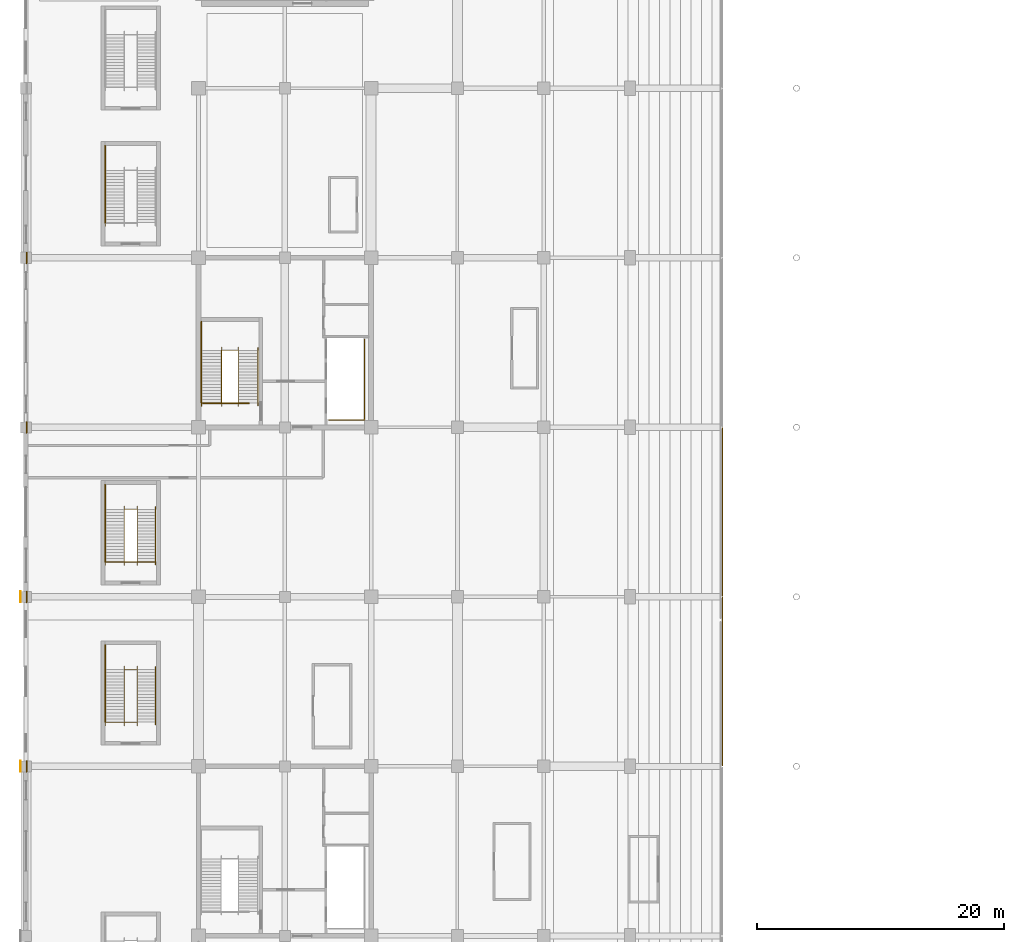
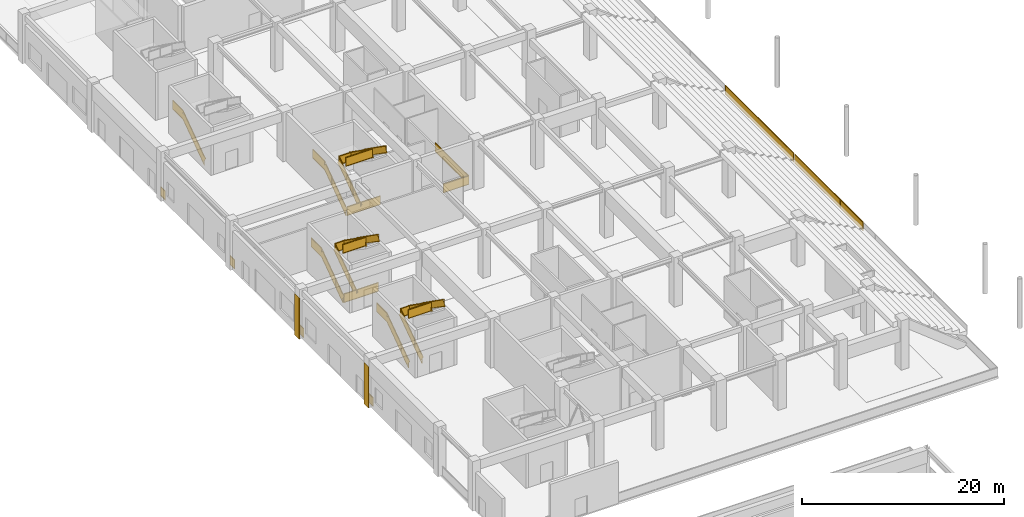
# One storey, part 61 of 73: 19 railings, 2 coverings.
"""IFC4 building model written with IfcOpenShell, lengths in metres."""

from ifc_helpers import new_model, si_unit, direction, frame, origin, origin_2d, place, context, subcontext, project, spatial, rectangle, extrude, material, layer, layer_set, type_object, element, save


model = new_model("IFC4")

# Units and contexts
model_context = context("Model", 3, precision=1e-05, world=origin(), true_north=direction((0.0, 1.0)))
body_context = subcontext(model_context, "Body", "Model", "MODEL_VIEW")
ifc_project = project(units=[si_unit("LENGTHUNIT", "METRE"), si_unit("AREAUNIT", "SQUARE_METRE"), si_unit("VOLUMEUNIT", "CUBIC_METRE"), si_unit("PLANEANGLEUNIT", "RADIAN"), si_unit("MASSUNIT", "GRAM", prefix="KILO")], contexts=[model_context])

# Site, building, storey
site_placement = place(None, origin())
site = spatial("IfcSite", under=ifc_project, at=site_placement, CompositionType="ELEMENT")
building_placement = place(site_placement, origin())
building = spatial("IfcBuilding", under=site, at=building_placement, Name="Linyun Crest Stadium", CompositionType="ELEMENT")
storey_placement = place(building_placement, origin())
storey = spatial("IfcBuildingStorey", under=building, at=storey_placement, Name="L01", CompositionType="ELEMENT", Elevation=0.0)

# Coverings
ifc_material_1 = material(Name="Precast concrete C40 fluted pier cladding", Category="concrete")
ifc_layer = layer(ifc_material_1, 0.0400390625)
ifc_layer_set = layer_set([ifc_layer], Name="Precast concrete C40 fluted pier cladding")
covering_type = type_object("IfcCoveringType", Name="CLD01", PredefinedType="CLADDING", material=ifc_layer_set)
for number, where, z_axis, x_axis, name in (
    (1, (-98.449951171875, -25.375, 0.0), (0.0, 0.0, 1.0), (1.0, 0.0, 0.0), "Red sandstone pier cladding CLD01 2"),
    (2, (-98.449951171875, -11.625, 0.0), (0.0, 0.0, 1.0), (1.0, 0.0, 0.0), "Red sandstone pier cladding CLD01 3"),
):
    element("IfcCovering", number, at=place(storey_placement, frame(where, z_axis=z_axis, x_axis=x_axis)), inside=storey, type_object=covering_type, Name=name, PredefinedType="CLADDING", context=body_context, shape_type="SweptSolid", body=[
        extrude(rectangle(XDim=0.06005859375, YDim=0.89990234375, at=origin_2d()), origin(), (0.0, 0.0, 1.0), 5.0),
    ])

# Railings
ifc_material_2 = material(Name="Galvanized and powder-coated steel bowl safety barrier", Category="steel")
railing_type_1 = type_object("IfcRailingType", Name="GR02", PredefinedType="GUARDRAIL", material=ifc_material_2)
for number, where, name in (
    (3, (-41.5, -25.294921875, 1.199951171875), "Bowl front safety guard GR02 17"),
    (4, (-41.5, -11.544921875, 1.199951171875), "Bowl front safety guard GR02 25"),
):
    element("IfcRailing", number, at=place(storey_placement, frame(where)), inside=storey, type_object=railing_type_1, Name=name, PredefinedType="GUARDRAIL", context=body_context, shape_type="SweptSolid", body=[
        extrude(rectangle(XDim=0.06005859375, YDim=0.06005859375, at=origin_2d()), frame((0.0, 0.0, 1.090087890625), z_axis=(0.0, 1.0, 0.0), x_axis=(-1.0, 0.0, 0.0)), (0.0, 0.0, 1.0), 13.58984375),
        extrude(rectangle(XDim=0.030029296875, YDim=1.0, at=origin_2d()), frame((0.0, 0.0, 0.56005859375), z_axis=(0.0, 1.0, 0.0), x_axis=(-1.0, 0.0, 0.0)), (0.0, 0.0, 1.0), 13.58984375),
        extrude(rectangle(XDim=0.06005859375, YDim=0.06005859375, at=origin_2d()), frame((0.0, 0.0, 0.030029296875), z_axis=(0.0, 1.0, 0.0), x_axis=(-1.0, 0.0, 0.0)), (0.0, 0.0, 1.0), 13.58984375),
        extrude(rectangle(XDim=0.050048828125, YDim=0.050048828125, at=origin_2d()), origin(), (0.0, 0.0, 1.0), 1.1201171875),
        extrude(rectangle(XDim=0.050048828125, YDim=0.050048828125, at=origin_2d()), frame((0.0, 2.264892578125, 0.0)), (0.0, 0.0, 1.0), 1.1201171875),
        extrude(rectangle(XDim=0.050048828125, YDim=0.050048828125, at=origin_2d()), frame((0.0, 4.530029296875, 0.0)), (0.0, 0.0, 1.0), 1.1201171875),
        extrude(rectangle(XDim=0.050048828125, YDim=0.050048828125, at=origin_2d()), frame((0.0, 6.794921875, 0.0)), (0.0, 0.0, 1.0), 1.1201171875),
        extrude(rectangle(XDim=0.050048828125, YDim=0.050048828125, at=origin_2d()), frame((0.0, 9.059814453125, 0.0)), (0.0, 0.0, 1.0), 1.1201171875),
        extrude(rectangle(XDim=0.050048828125, YDim=0.050048828125, at=origin_2d()), frame((0.0, 11.324951171875, 0.0)), (0.0, 0.0, 1.0), 1.1201171875),
        extrude(rectangle(XDim=0.050048828125, YDim=0.050048828125, at=origin_2d()), frame((0.0, 13.58984375, 0.0)), (0.0, 0.0, 1.0), 1.1201171875),
    ])
for number, where, name in (
    (5, (-97.93994140625, -25.81494140625, 0.0), "Slab edge balustrade GR02 3"),
    (6, (-97.93994140625, -12.06494140625, 0.0), "Slab edge balustrade GR02 9"),
    (7, (-97.93994140625, 1.68505859375, 0.0), "Slab edge balustrade GR02 10"),
    (8, (-97.93994140625, 15.43505859375, 0.0), "Slab edge balustrade GR02 11"),
):
    element("IfcRailing", number, at=place(storey_placement, frame(where)), inside=storey, type_object=railing_type_1, Name=name, PredefinedType="GUARDRAIL", context=body_context, shape_type="SweptSolid", body=[
        extrude(rectangle(XDim=0.06005859375, YDim=0.06005859375, at=origin_2d()), frame((0.0, 0.0, 1.090087890625), z_axis=(0.0, 1.0, 0.0), x_axis=(-1.0, 0.0, 0.0)), (0.0, 0.0, 1.0), 0.8798828125),
        extrude(rectangle(XDim=0.030029296875, YDim=1.0, at=origin_2d()), frame((0.0, 0.0, 0.56005859375), z_axis=(0.0, 1.0, 0.0), x_axis=(-1.0, 0.0, 0.0)), (0.0, 0.0, 1.0), 0.8798828125),
        extrude(rectangle(XDim=0.06005859375, YDim=0.06005859375, at=origin_2d()), frame((0.0, 0.0, 0.030029296875), z_axis=(0.0, 1.0, 0.0), x_axis=(-1.0, 0.0, 0.0)), (0.0, 0.0, 1.0), 0.8798828125),
        extrude(rectangle(XDim=0.050048828125, YDim=0.050048828125, at=origin_2d()), origin(), (0.0, 0.0, 1.0), 1.1201171875),
        extrude(rectangle(XDim=0.050048828125, YDim=0.050048828125, at=origin_2d()), frame((0.0, 0.8798828125, 0.0)), (0.0, 0.0, 1.0), 1.1201171875),
    ])
railing_1_placement = place(storey_placement, frame((-73.419921875, 2.715087890625, 0.0)))
element("IfcRailing", 9, at=railing_1_placement, inside=storey, type_object=railing_type_1, Name="Slab edge balustrade GR02 14", PredefinedType="GUARDRAIL", context=body_context, shape_type="SweptSolid", body=[
    extrude(rectangle(XDim=0.06005859375, YDim=0.06005859375, at=origin_2d()), frame((0.0, 0.0, 1.090087890625), z_axis=(1.0, 0.0, 0.0), x_axis=(0.0, 1.0, 0.0)), (0.0, 0.0, 1.0), 2.8798828125),
    extrude(rectangle(XDim=0.030029296875, YDim=1.0, at=origin_2d()), frame((0.0, 0.0, 0.56005859375), z_axis=(1.0, 0.0, 0.0), x_axis=(0.0, 1.0, 0.0)), (0.0, 0.0, 1.0), 2.8798828125),
    extrude(rectangle(XDim=0.06005859375, YDim=0.06005859375, at=origin_2d()), frame((0.0, 0.0, 0.030029296875), z_axis=(1.0, 0.0, 0.0), x_axis=(0.0, 1.0, 0.0)), (0.0, 0.0, 1.0), 2.8798828125),
    extrude(rectangle(XDim=0.06005859375, YDim=0.06005859375, at=origin_2d()), frame((2.8798828125, 0.0, 1.090087890625), z_axis=(0.0, 1.0, 0.0), x_axis=(-1.0, 0.0, 0.0)), (0.0, 0.0, 1.0), 6.5498046875),
    extrude(rectangle(XDim=0.030029296875, YDim=1.0, at=origin_2d()), frame((2.8798828125, 0.0, 0.56005859375), z_axis=(0.0, 1.0, 0.0), x_axis=(-1.0, 0.0, 0.0)), (0.0, 0.0, 1.0), 6.5498046875),
    extrude(rectangle(XDim=0.06005859375, YDim=0.06005859375, at=origin_2d()), frame((2.8798828125, 0.0, 0.030029296875), z_axis=(0.0, 1.0, 0.0), x_axis=(-1.0, 0.0, 0.0)), (0.0, 0.0, 1.0), 6.5498046875),
    extrude(rectangle(XDim=0.050048828125, YDim=0.050048828125, at=origin_2d()), origin(), (0.0, 0.0, 1.0), 1.1201171875),
    extrude(rectangle(XDim=0.050048828125, YDim=0.050048828125, at=origin_2d()), frame((2.8798828125, 0.0, 0.0)), (0.0, 0.0, 1.0), 1.1201171875),
    extrude(rectangle(XDim=0.050048828125, YDim=0.050048828125, at=origin_2d()), frame((2.8798828125, 3.27490234375, 0.0)), (0.0, 0.0, 1.0), 1.1201171875),
    extrude(rectangle(XDim=0.050048828125, YDim=0.050048828125, at=origin_2d()), frame((2.8798828125, 6.5498046875, 0.0)), (0.0, 0.0, 1.0), 1.1201171875),
])
railing_2_placement = place(storey_placement, frame((-83.659912109375, 4.0849609375, 0.0)))
element("IfcRailing", 10, at=railing_2_placement, inside=storey, type_object=railing_type_1, Name="Slab edge balustrade GR02 16", PredefinedType="GUARDRAIL", context=body_context, shape_type="SweptSolid", body=[
    extrude(rectangle(XDim=0.06005859375, YDim=0.06005859375, at=origin_2d()), frame((0.0, 0.0, 1.090087890625), z_axis=(1.0, 0.0, 0.0), x_axis=(0.0, 1.0, 0.0)), (0.0, 0.0, 1.0), 3.760009765625),
    extrude(rectangle(XDim=0.030029296875, YDim=1.0, at=origin_2d()), frame((0.0, 0.0, 0.56005859375), z_axis=(1.0, 0.0, 0.0), x_axis=(0.0, 1.0, 0.0)), (0.0, 0.0, 1.0), 3.760009765625),
    extrude(rectangle(XDim=0.06005859375, YDim=0.06005859375, at=origin_2d()), frame((0.0, 0.0, 0.030029296875), z_axis=(1.0, 0.0, 0.0), x_axis=(0.0, 1.0, 0.0)), (0.0, 0.0, 1.0), 3.760009765625),
    extrude(rectangle(XDim=0.050048828125, YDim=0.050048828125, at=origin_2d()), origin(), (0.0, 0.0, 1.0), 1.1201171875),
    extrude(rectangle(XDim=0.050048828125, YDim=0.050048828125, at=origin_2d()), frame((3.760009765625, 0.0, 0.0)), (0.0, 0.0, 1.0), 1.1201171875),
])
railing_3_placement = place(storey_placement, frame((-91.4599609375, -8.81005859375, 0.0)))
element("IfcRailing", 11, at=railing_3_placement, inside=storey, type_object=railing_type_1, Name="Slab edge balustrade GR02 18", PredefinedType="GUARDRAIL", context=body_context, shape_type="SweptSolid", body=[
    extrude(rectangle(XDim=0.06005859375, YDim=0.06005859375, at=origin_2d()), frame((0.0, 0.0, 1.090087890625), z_axis=(1.0, 0.0, 0.0), x_axis=(0.0, 1.0, 0.0)), (0.0, 0.0, 1.0), 3.919921875),
    extrude(rectangle(XDim=0.030029296875, YDim=1.0, at=origin_2d()), frame((0.0, 0.0, 0.56005859375), z_axis=(1.0, 0.0, 0.0), x_axis=(0.0, 1.0, 0.0)), (0.0, 0.0, 1.0), 3.919921875),
    extrude(rectangle(XDim=0.06005859375, YDim=0.06005859375, at=origin_2d()), frame((0.0, 0.0, 0.030029296875), z_axis=(1.0, 0.0, 0.0), x_axis=(0.0, 1.0, 0.0)), (0.0, 0.0, 1.0), 3.919921875),
    extrude(rectangle(XDim=0.050048828125, YDim=0.050048828125, at=origin_2d()), origin(), (0.0, 0.0, 1.0), 1.1201171875),
    extrude(rectangle(XDim=0.050048828125, YDim=0.050048828125, at=origin_2d()), frame((3.919921875, 0.0, 0.0)), (0.0, 0.0, 1.0), 1.1201171875),
])
ifc_material_3 = material(Name="Painted steel stairwell safety guard", Category="steel")
railing_type_2 = type_object("IfcRailingType", Name="GR03", PredefinedType="GUARDRAIL", material=ifc_material_3)
railing_4_placement = place(storey_placement, frame((-83.77001953125, 4.114990234375, 0.0)))
element("IfcRailing", 12, at=railing_4_placement, inside=storey, type_object=railing_type_2, Name="STR-02-L01 outer guard", PredefinedType="GUARDRAIL", context=body_context, shape_type="SweptSolid", body=[
    extrude(rectangle(XDim=0.06005859375, YDim=0.06005859375, at=origin_2d()), frame((0.0, 0.0, 1.090087890625), z_axis=(0.0, 0.816967863265, 0.576683197599), x_axis=(-1.0, 0.0, 0.0)), (0.0, 0.0, 1.0), 5.2021484375),
    extrude(rectangle(XDim=0.030029296875, YDim=1.0, at=origin_2d()), frame((0.0, 0.0, 0.56005859375), z_axis=(0.0, 0.816967863265, 0.576683197599), x_axis=(-1.0, 0.0, 0.0)), (0.0, 0.0, 1.0), 5.2021484375),
    extrude(rectangle(XDim=0.06005859375, YDim=0.06005859375, at=origin_2d()), frame((0.0, 0.0, 0.030029296875), z_axis=(0.0, 0.816967863265, 0.576683197599), x_axis=(-1.0, 0.0, 0.0)), (0.0, 0.0, 1.0), 5.2021484375),
    extrude(rectangle(XDim=0.06005859375, YDim=0.06005859375, at=origin_2d()), frame((0.0, 4.25, 4.090087890625), z_axis=(0.0, 1.0, 0.0), x_axis=(-1.0, 0.0, 0.0)), (0.0, 0.0, 1.0), 2.330078125),
    extrude(rectangle(XDim=0.030029296875, YDim=1.0, at=origin_2d()), frame((0.0, 4.25, 3.56005859375), z_axis=(0.0, 1.0, 0.0), x_axis=(-1.0, 0.0, 0.0)), (0.0, 0.0, 1.0), 2.330078125),
    extrude(rectangle(XDim=0.06005859375, YDim=0.06005859375, at=origin_2d()), frame((0.0, 4.25, 3.030029296875), z_axis=(0.0, 1.0, 0.0), x_axis=(-1.0, 0.0, 0.0)), (0.0, 0.0, 1.0), 2.330078125),
    extrude(rectangle(XDim=0.050048828125, YDim=0.050048828125, at=origin_2d()), origin(), (0.0, 0.0, 1.0), 1.1201171875),
    extrude(rectangle(XDim=0.050048828125, YDim=0.050048828125, at=origin_2d()), frame((0.0, 1.416748046875, 1.0)), (0.0, 0.0, 1.0), 1.1201171875),
    extrude(rectangle(XDim=0.050048828125, YDim=0.050048828125, at=origin_2d()), frame((0.0, 2.833251953125, 2.0)), (0.0, 0.0, 1.0), 1.1201171875),
    extrude(rectangle(XDim=0.050048828125, YDim=0.050048828125, at=origin_2d()), frame((0.0, 4.25, 3.0)), (0.0, 0.0, 1.0), 1.1201171875),
    extrude(rectangle(XDim=0.050048828125, YDim=0.050048828125, at=origin_2d()), frame((0.0, 5.4150390625, 3.0)), (0.0, 0.0, 1.0), 1.1201171875),
    extrude(rectangle(XDim=0.050048828125, YDim=0.050048828125, at=origin_2d()), frame((0.0, 6.580078125, 3.0)), (0.0, 0.0, 1.0), 1.1201171875),
])
railing_5_placement = place(storey_placement, frame((-82.1298828125, 4.094970703125, 0.0)))
element("IfcRailing", 13, at=railing_5_placement, inside=storey, type_object=railing_type_2, Name="STR-02-L01 inner well guard", PredefinedType="GUARDRAIL", context=body_context, shape_type="SweptSolid", body=[
    extrude(rectangle(XDim=0.06005859375, YDim=0.06005859375, at=origin_2d()), frame((0.0, 0.0, 1.090087890625), z_axis=(0.0, 0.818241657069, 0.574874412926), x_axis=(-1.0, 0.0, 0.0)), (0.0, 0.0, 1.0), 5.218505859375),
    extrude(rectangle(XDim=0.030029296875, YDim=1.0, at=origin_2d()), frame((0.0, 0.0, 0.56005859375), z_axis=(0.0, 0.818241657069, 0.574874412926), x_axis=(-1.0, 0.0, 0.0)), (0.0, 0.0, 1.0), 5.218505859375),
    extrude(rectangle(XDim=0.06005859375, YDim=0.06005859375, at=origin_2d()), frame((0.0, 0.0, 0.030029296875), z_axis=(0.0, 0.818241657069, 0.574874412926), x_axis=(-1.0, 0.0, 0.0)), (0.0, 0.0, 1.0), 5.218505859375),
    extrude(rectangle(XDim=0.06005859375, YDim=0.06005859375, at=origin_2d()), frame((0.0, 4.27001953125, 4.090087890625), z_axis=(1.0, 0.0, 0.0), x_axis=(0.0, 1.0, 0.0)), (0.0, 0.0, 1.0), 1.35986328125),
    extrude(rectangle(XDim=0.030029296875, YDim=1.0, at=origin_2d()), frame((0.0, 4.27001953125, 3.56005859375), z_axis=(1.0, 0.0, 0.0), x_axis=(0.0, 1.0, 0.0)), (0.0, 0.0, 1.0), 1.35986328125),
    extrude(rectangle(XDim=0.06005859375, YDim=0.06005859375, at=origin_2d()), frame((0.0, 4.27001953125, 3.030029296875), z_axis=(1.0, 0.0, 0.0), x_axis=(0.0, 1.0, 0.0)), (0.0, 0.0, 1.0), 1.35986328125),
    extrude(rectangle(XDim=0.06005859375, YDim=0.06005859375, at=origin_2d()), frame((1.35986328125, 4.27001953125, 4.090087890625), z_axis=(0.0, -0.818241657069, 0.574874412926), x_axis=(1.0, 0.0, 0.0)), (0.0, 0.0, 1.0), 5.218505859375),
    extrude(rectangle(XDim=0.030029296875, YDim=1.0, at=origin_2d()), frame((1.35986328125, 4.27001953125, 3.56005859375), z_axis=(0.0, -0.818241657069, 0.574874412926), x_axis=(1.0, 0.0, 0.0)), (0.0, 0.0, 1.0), 5.218505859375),
    extrude(rectangle(XDim=0.06005859375, YDim=0.06005859375, at=origin_2d()), frame((1.35986328125, 4.27001953125, 3.030029296875), z_axis=(0.0, -0.818241657069, 0.574874412926), x_axis=(1.0, 0.0, 0.0)), (0.0, 0.0, 1.0), 5.218505859375),
    extrude(rectangle(XDim=0.06005859375, YDim=0.06005859375, at=origin_2d()), frame((1.35986328125, 0.0, 7.090087890625), z_axis=(-1.0, 0.0, 0.0), x_axis=(0.0, -1.0, 0.0)), (0.0, 0.0, 1.0), 3.010009765625),
    extrude(rectangle(XDim=0.030029296875, YDim=1.0, at=origin_2d()), frame((1.35986328125, 0.0, 6.56005859375), z_axis=(-1.0, 0.0, 0.0), x_axis=(0.0, -1.0, 0.0)), (0.0, 0.0, 1.0), 3.010009765625),
    extrude(rectangle(XDim=0.06005859375, YDim=0.06005859375, at=origin_2d()), frame((1.35986328125, 0.0, 6.030029296875), z_axis=(-1.0, 0.0, 0.0), x_axis=(0.0, -1.0, 0.0)), (0.0, 0.0, 1.0), 3.010009765625),
    extrude(rectangle(XDim=0.050048828125, YDim=0.050048828125, at=origin_2d()), origin(), (0.0, 0.0, 1.0), 1.1201171875),
    extrude(rectangle(XDim=0.050048828125, YDim=0.050048828125, at=origin_2d()), frame((0.0, 1.42333984375, 1.0)), (0.0, 0.0, 1.0), 1.1201171875),
    extrude(rectangle(XDim=0.050048828125, YDim=0.050048828125, at=origin_2d()), frame((0.0, 2.8466796875, 2.0)), (0.0, 0.0, 1.0), 1.1201171875),
    extrude(rectangle(XDim=0.050048828125, YDim=0.050048828125, at=origin_2d()), frame((0.0, 4.27001953125, 3.0)), (0.0, 0.0, 1.0), 1.1201171875),
    extrude(rectangle(XDim=0.050048828125, YDim=0.050048828125, at=origin_2d()), frame((1.35986328125, 4.27001953125, 3.0)), (0.0, 0.0, 1.0), 1.1201171875),
    extrude(rectangle(XDim=0.050048828125, YDim=0.050048828125, at=origin_2d()), frame((1.35986328125, 2.8466796875, 4.0)), (0.0, 0.0, 1.0), 1.1201171875),
    extrude(rectangle(XDim=0.050048828125, YDim=0.050048828125, at=origin_2d()), frame((1.35986328125, 1.42333984375, 5.0)), (0.0, 0.0, 1.0), 1.1201171875),
    extrude(rectangle(XDim=0.050048828125, YDim=0.050048828125, at=origin_2d()), frame((1.35986328125, 0.0, 6.0)), (0.0, 0.0, 1.0), 1.1201171875),
    extrude(rectangle(XDim=0.050048828125, YDim=0.050048828125, at=origin_2d()), frame((-0.14501953125, 0.0, 6.0)), (0.0, 0.0, 1.0), 1.1201171875),
    extrude(rectangle(XDim=0.050048828125, YDim=0.050048828125, at=origin_2d()), frame((-1.650146484375, 0.0, 6.0)), (0.0, 0.0, 1.0), 1.1201171875),
])
railing_6_placement = place(storey_placement, frame((-91.570068359375, -21.780029296875, 0.0)))
element("IfcRailing", 14, at=railing_6_placement, inside=storey, type_object=railing_type_2, Name="STR-14-L01 outer guard", PredefinedType="GUARDRAIL", context=body_context, shape_type="SweptSolid", body=[
    extrude(rectangle(XDim=0.06005859375, YDim=0.06005859375, at=origin_2d()), frame((0.0, 0.0, 1.090087890625), z_axis=(0.0, 0.816967863265, 0.576683197599), x_axis=(-1.0, 0.0, 0.0)), (0.0, 0.0, 1.0), 5.2021484375),
    extrude(rectangle(XDim=0.030029296875, YDim=1.0, at=origin_2d()), frame((0.0, 0.0, 0.56005859375), z_axis=(0.0, 0.816967863265, 0.576683197599), x_axis=(-1.0, 0.0, 0.0)), (0.0, 0.0, 1.0), 5.2021484375),
    extrude(rectangle(XDim=0.06005859375, YDim=0.06005859375, at=origin_2d()), frame((0.0, 0.0, 0.030029296875), z_axis=(0.0, 0.816967863265, 0.576683197599), x_axis=(-1.0, 0.0, 0.0)), (0.0, 0.0, 1.0), 5.2021484375),
    extrude(rectangle(XDim=0.06005859375, YDim=0.06005859375, at=origin_2d()), frame((0.0, 4.25, 4.090087890625), z_axis=(0.0, 1.0, 0.0), x_axis=(-1.0, 0.0, 0.0)), (0.0, 0.0, 1.0), 2.0),
    extrude(rectangle(XDim=0.030029296875, YDim=1.0, at=origin_2d()), frame((0.0, 4.25, 3.56005859375), z_axis=(0.0, 1.0, 0.0), x_axis=(-1.0, 0.0, 0.0)), (0.0, 0.0, 1.0), 2.0),
    extrude(rectangle(XDim=0.06005859375, YDim=0.06005859375, at=origin_2d()), frame((0.0, 4.25, 3.030029296875), z_axis=(0.0, 1.0, 0.0), x_axis=(-1.0, 0.0, 0.0)), (0.0, 0.0, 1.0), 2.0),
    extrude(rectangle(XDim=0.050048828125, YDim=0.050048828125, at=origin_2d()), origin(), (0.0, 0.0, 1.0), 1.1201171875),
    extrude(rectangle(XDim=0.050048828125, YDim=0.050048828125, at=origin_2d()), frame((0.0, 1.416748046875, 1.0)), (0.0, 0.0, 1.0), 1.1201171875),
    extrude(rectangle(XDim=0.050048828125, YDim=0.050048828125, at=origin_2d()), frame((0.0, 2.833251953125, 2.0)), (0.0, 0.0, 1.0), 1.1201171875),
    extrude(rectangle(XDim=0.050048828125, YDim=0.050048828125, at=origin_2d()), frame((0.0, 4.25, 3.0)), (0.0, 0.0, 1.0), 1.1201171875),
    extrude(rectangle(XDim=0.050048828125, YDim=0.050048828125, at=origin_2d()), frame((0.0, 6.25, 3.0)), (0.0, 0.0, 1.0), 1.1201171875),
])
railing_7_placement = place(storey_placement, frame((-90.030029296875, -21.800048828125, 0.0)))
element("IfcRailing", 15, at=railing_7_placement, inside=storey, type_object=railing_type_2, Name="STR-14-L01 inner well guard", PredefinedType="GUARDRAIL", context=body_context, shape_type="SweptSolid", body=[
    extrude(rectangle(XDim=0.06005859375, YDim=0.06005859375, at=origin_2d()), frame((0.0, 0.0, 1.090087890625), z_axis=(0.0, 0.818241657069, 0.574874412926), x_axis=(-1.0, 0.0, 0.0)), (0.0, 0.0, 1.0), 5.218505859375),
    extrude(rectangle(XDim=0.030029296875, YDim=1.0, at=origin_2d()), frame((0.0, 0.0, 0.56005859375), z_axis=(0.0, 0.818241657069, 0.574874412926), x_axis=(-1.0, 0.0, 0.0)), (0.0, 0.0, 1.0), 5.218505859375),
    extrude(rectangle(XDim=0.06005859375, YDim=0.06005859375, at=origin_2d()), frame((0.0, 0.0, 0.030029296875), z_axis=(0.0, 0.818241657069, 0.574874412926), x_axis=(-1.0, 0.0, 0.0)), (0.0, 0.0, 1.0), 5.218505859375),
    extrude(rectangle(XDim=0.06005859375, YDim=0.06005859375, at=origin_2d()), frame((0.0, 4.27001953125, 4.090087890625), z_axis=(1.0, 0.0, 0.0), x_axis=(0.0, 1.0, 0.0)), (0.0, 0.0, 1.0), 1.06005859375),
    extrude(rectangle(XDim=0.030029296875, YDim=1.0, at=origin_2d()), frame((0.0, 4.27001953125, 3.56005859375), z_axis=(1.0, 0.0, 0.0), x_axis=(0.0, 1.0, 0.0)), (0.0, 0.0, 1.0), 1.06005859375),
    extrude(rectangle(XDim=0.06005859375, YDim=0.06005859375, at=origin_2d()), frame((0.0, 4.27001953125, 3.030029296875), z_axis=(1.0, 0.0, 0.0), x_axis=(0.0, 1.0, 0.0)), (0.0, 0.0, 1.0), 1.06005859375),
    extrude(rectangle(XDim=0.06005859375, YDim=0.06005859375, at=origin_2d()), frame((1.06005859375, 4.27001953125, 4.090087890625), z_axis=(0.0, -0.818241657069, 0.574874412926), x_axis=(1.0, 0.0, 0.0)), (0.0, 0.0, 1.0), 5.218505859375),
    extrude(rectangle(XDim=0.030029296875, YDim=1.0, at=origin_2d()), frame((1.06005859375, 4.27001953125, 3.56005859375), z_axis=(0.0, -0.818241657069, 0.574874412926), x_axis=(1.0, 0.0, 0.0)), (0.0, 0.0, 1.0), 5.218505859375),
    extrude(rectangle(XDim=0.06005859375, YDim=0.06005859375, at=origin_2d()), frame((1.06005859375, 4.27001953125, 3.030029296875), z_axis=(0.0, -0.818241657069, 0.574874412926), x_axis=(1.0, 0.0, 0.0)), (0.0, 0.0, 1.0), 5.218505859375),
    extrude(rectangle(XDim=0.06005859375, YDim=0.06005859375, at=origin_2d()), frame((1.06005859375, 0.0, 7.090087890625), z_axis=(-1.0, 0.0, 0.0), x_axis=(0.0, -1.0, 0.0)), (0.0, 0.0, 1.0), 2.610107421875),
    extrude(rectangle(XDim=0.030029296875, YDim=1.0, at=origin_2d()), frame((1.06005859375, 0.0, 6.56005859375), z_axis=(-1.0, 0.0, 0.0), x_axis=(0.0, -1.0, 0.0)), (0.0, 0.0, 1.0), 2.610107421875),
    extrude(rectangle(XDim=0.06005859375, YDim=0.06005859375, at=origin_2d()), frame((1.06005859375, 0.0, 6.030029296875), z_axis=(-1.0, 0.0, 0.0), x_axis=(0.0, -1.0, 0.0)), (0.0, 0.0, 1.0), 2.610107421875),
    extrude(rectangle(XDim=0.050048828125, YDim=0.050048828125, at=origin_2d()), origin(), (0.0, 0.0, 1.0), 1.1201171875),
    extrude(rectangle(XDim=0.050048828125, YDim=0.050048828125, at=origin_2d()), frame((0.0, 1.42333984375, 1.0)), (0.0, 0.0, 1.0), 1.1201171875),
    extrude(rectangle(XDim=0.050048828125, YDim=0.050048828125, at=origin_2d()), frame((0.0, 2.8466796875, 2.0)), (0.0, 0.0, 1.0), 1.1201171875),
    extrude(rectangle(XDim=0.050048828125, YDim=0.050048828125, at=origin_2d()), frame((0.0, 4.27001953125, 3.0)), (0.0, 0.0, 1.0), 1.1201171875),
    extrude(rectangle(XDim=0.050048828125, YDim=0.050048828125, at=origin_2d()), frame((1.06005859375, 4.27001953125, 3.0)), (0.0, 0.0, 1.0), 1.1201171875),
    extrude(rectangle(XDim=0.050048828125, YDim=0.050048828125, at=origin_2d()), frame((1.06005859375, 2.8466796875, 4.0)), (0.0, 0.0, 1.0), 1.1201171875),
    extrude(rectangle(XDim=0.050048828125, YDim=0.050048828125, at=origin_2d()), frame((1.06005859375, 1.42333984375, 5.0)), (0.0, 0.0, 1.0), 1.1201171875),
    extrude(rectangle(XDim=0.050048828125, YDim=0.050048828125, at=origin_2d()), frame((1.06005859375, 0.0, 6.0)), (0.0, 0.0, 1.0), 1.1201171875),
    extrude(rectangle(XDim=0.050048828125, YDim=0.050048828125, at=origin_2d()), frame((-0.2451171875, 0.0, 6.0)), (0.0, 0.0, 1.0), 1.1201171875),
    extrude(rectangle(XDim=0.050048828125, YDim=0.050048828125, at=origin_2d()), frame((-1.550048828125, 0.0, 6.0)), (0.0, 0.0, 1.0), 1.1201171875),
])
railing_8_placement = place(storey_placement, frame((-91.570068359375, -8.780029296875, 0.0)))
element("IfcRailing", 16, at=railing_8_placement, inside=storey, type_object=railing_type_2, Name="STR-15-L01 outer guard", PredefinedType="GUARDRAIL", context=body_context, shape_type="SweptSolid", body=[
    extrude(rectangle(XDim=0.06005859375, YDim=0.06005859375, at=origin_2d()), frame((0.0, 0.0, 1.090087890625), z_axis=(0.0, 0.816967863265, 0.576683197599), x_axis=(-1.0, 0.0, 0.0)), (0.0, 0.0, 1.0), 5.2021484375),
    extrude(rectangle(XDim=0.030029296875, YDim=1.0, at=origin_2d()), frame((0.0, 0.0, 0.56005859375), z_axis=(0.0, 0.816967863265, 0.576683197599), x_axis=(-1.0, 0.0, 0.0)), (0.0, 0.0, 1.0), 5.2021484375),
    extrude(rectangle(XDim=0.06005859375, YDim=0.06005859375, at=origin_2d()), frame((0.0, 0.0, 0.030029296875), z_axis=(0.0, 0.816967863265, 0.576683197599), x_axis=(-1.0, 0.0, 0.0)), (0.0, 0.0, 1.0), 5.2021484375),
    extrude(rectangle(XDim=0.06005859375, YDim=0.06005859375, at=origin_2d()), frame((0.0, 4.25, 4.090087890625), z_axis=(0.0, 1.0, 0.0), x_axis=(-1.0, 0.0, 0.0)), (0.0, 0.0, 1.0), 2.0),
    extrude(rectangle(XDim=0.030029296875, YDim=1.0, at=origin_2d()), frame((0.0, 4.25, 3.56005859375), z_axis=(0.0, 1.0, 0.0), x_axis=(-1.0, 0.0, 0.0)), (0.0, 0.0, 1.0), 2.0),
    extrude(rectangle(XDim=0.06005859375, YDim=0.06005859375, at=origin_2d()), frame((0.0, 4.25, 3.030029296875), z_axis=(0.0, 1.0, 0.0), x_axis=(-1.0, 0.0, 0.0)), (0.0, 0.0, 1.0), 2.0),
    extrude(rectangle(XDim=0.050048828125, YDim=0.050048828125, at=origin_2d()), origin(), (0.0, 0.0, 1.0), 1.1201171875),
    extrude(rectangle(XDim=0.050048828125, YDim=0.050048828125, at=origin_2d()), frame((0.0, 1.416748046875, 1.0)), (0.0, 0.0, 1.0), 1.1201171875),
    extrude(rectangle(XDim=0.050048828125, YDim=0.050048828125, at=origin_2d()), frame((0.0, 2.833251953125, 2.0)), (0.0, 0.0, 1.0), 1.1201171875),
    extrude(rectangle(XDim=0.050048828125, YDim=0.050048828125, at=origin_2d()), frame((0.0, 4.25, 3.0)), (0.0, 0.0, 1.0), 1.1201171875),
    extrude(rectangle(XDim=0.050048828125, YDim=0.050048828125, at=origin_2d()), frame((0.0, 6.25, 3.0)), (0.0, 0.0, 1.0), 1.1201171875),
])
railing_9_placement = place(storey_placement, frame((-90.030029296875, -8.800048828125, 0.0)))
element("IfcRailing", 17, at=railing_9_placement, inside=storey, type_object=railing_type_2, Name="STR-15-L01 inner well guard", PredefinedType="GUARDRAIL", context=body_context, shape_type="SweptSolid", body=[
    extrude(rectangle(XDim=0.06005859375, YDim=0.06005859375, at=origin_2d()), frame((0.0, 0.0, 1.090087890625), z_axis=(0.0, 0.818241657069, 0.574874412926), x_axis=(-1.0, 0.0, 0.0)), (0.0, 0.0, 1.0), 5.218505859375),
    extrude(rectangle(XDim=0.030029296875, YDim=1.0, at=origin_2d()), frame((0.0, 0.0, 0.56005859375), z_axis=(0.0, 0.818241657069, 0.574874412926), x_axis=(-1.0, 0.0, 0.0)), (0.0, 0.0, 1.0), 5.218505859375),
    extrude(rectangle(XDim=0.06005859375, YDim=0.06005859375, at=origin_2d()), frame((0.0, 0.0, 0.030029296875), z_axis=(0.0, 0.818241657069, 0.574874412926), x_axis=(-1.0, 0.0, 0.0)), (0.0, 0.0, 1.0), 5.218505859375),
    extrude(rectangle(XDim=0.06005859375, YDim=0.06005859375, at=origin_2d()), frame((0.0, 4.27001953125, 4.090087890625), z_axis=(1.0, 0.0, 0.0), x_axis=(0.0, 1.0, 0.0)), (0.0, 0.0, 1.0), 1.06005859375),
    extrude(rectangle(XDim=0.030029296875, YDim=1.0, at=origin_2d()), frame((0.0, 4.27001953125, 3.56005859375), z_axis=(1.0, 0.0, 0.0), x_axis=(0.0, 1.0, 0.0)), (0.0, 0.0, 1.0), 1.06005859375),
    extrude(rectangle(XDim=0.06005859375, YDim=0.06005859375, at=origin_2d()), frame((0.0, 4.27001953125, 3.030029296875), z_axis=(1.0, 0.0, 0.0), x_axis=(0.0, 1.0, 0.0)), (0.0, 0.0, 1.0), 1.06005859375),
    extrude(rectangle(XDim=0.06005859375, YDim=0.06005859375, at=origin_2d()), frame((1.06005859375, 4.27001953125, 4.090087890625), z_axis=(0.0, -0.818241657069, 0.574874412926), x_axis=(1.0, 0.0, 0.0)), (0.0, 0.0, 1.0), 5.218505859375),
    extrude(rectangle(XDim=0.030029296875, YDim=1.0, at=origin_2d()), frame((1.06005859375, 4.27001953125, 3.56005859375), z_axis=(0.0, -0.818241657069, 0.574874412926), x_axis=(1.0, 0.0, 0.0)), (0.0, 0.0, 1.0), 5.218505859375),
    extrude(rectangle(XDim=0.06005859375, YDim=0.06005859375, at=origin_2d()), frame((1.06005859375, 4.27001953125, 3.030029296875), z_axis=(0.0, -0.818241657069, 0.574874412926), x_axis=(1.0, 0.0, 0.0)), (0.0, 0.0, 1.0), 5.218505859375),
    extrude(rectangle(XDim=0.06005859375, YDim=0.06005859375, at=origin_2d()), frame((1.06005859375, 0.0, 7.090087890625), z_axis=(-1.0, 0.0, 0.0), x_axis=(0.0, -1.0, 0.0)), (0.0, 0.0, 1.0), 2.610107421875),
    extrude(rectangle(XDim=0.030029296875, YDim=1.0, at=origin_2d()), frame((1.06005859375, 0.0, 6.56005859375), z_axis=(-1.0, 0.0, 0.0), x_axis=(0.0, -1.0, 0.0)), (0.0, 0.0, 1.0), 2.610107421875),
    extrude(rectangle(XDim=0.06005859375, YDim=0.06005859375, at=origin_2d()), frame((1.06005859375, 0.0, 6.030029296875), z_axis=(-1.0, 0.0, 0.0), x_axis=(0.0, -1.0, 0.0)), (0.0, 0.0, 1.0), 2.610107421875),
    extrude(rectangle(XDim=0.050048828125, YDim=0.050048828125, at=origin_2d()), origin(), (0.0, 0.0, 1.0), 1.1201171875),
    extrude(rectangle(XDim=0.050048828125, YDim=0.050048828125, at=origin_2d()), frame((0.0, 1.42333984375, 1.0)), (0.0, 0.0, 1.0), 1.1201171875),
    extrude(rectangle(XDim=0.050048828125, YDim=0.050048828125, at=origin_2d()), frame((0.0, 2.8466796875, 2.0)), (0.0, 0.0, 1.0), 1.1201171875),
    extrude(rectangle(XDim=0.050048828125, YDim=0.050048828125, at=origin_2d()), frame((0.0, 4.27001953125, 3.0)), (0.0, 0.0, 1.0), 1.1201171875),
    extrude(rectangle(XDim=0.050048828125, YDim=0.050048828125, at=origin_2d()), frame((1.06005859375, 4.27001953125, 3.0)), (0.0, 0.0, 1.0), 1.1201171875),
    extrude(rectangle(XDim=0.050048828125, YDim=0.050048828125, at=origin_2d()), frame((1.06005859375, 2.8466796875, 4.0)), (0.0, 0.0, 1.0), 1.1201171875),
    extrude(rectangle(XDim=0.050048828125, YDim=0.050048828125, at=origin_2d()), frame((1.06005859375, 1.42333984375, 5.0)), (0.0, 0.0, 1.0), 1.1201171875),
    extrude(rectangle(XDim=0.050048828125, YDim=0.050048828125, at=origin_2d()), frame((1.06005859375, 0.0, 6.0)), (0.0, 0.0, 1.0), 1.1201171875),
    extrude(rectangle(XDim=0.050048828125, YDim=0.050048828125, at=origin_2d()), frame((-0.2451171875, 0.0, 6.0)), (0.0, 0.0, 1.0), 1.1201171875),
    extrude(rectangle(XDim=0.050048828125, YDim=0.050048828125, at=origin_2d()), frame((-1.550048828125, 0.0, 6.0)), (0.0, 0.0, 1.0), 1.1201171875),
])
railing_10_placement = place(storey_placement, frame((-91.570068359375, 18.719970703125, 0.0)))
element("IfcRailing", 18, at=railing_10_placement, inside=storey, type_object=railing_type_2, Name="STR-16-L01 outer guard", PredefinedType="GUARDRAIL", context=body_context, shape_type="SweptSolid", body=[
    extrude(rectangle(XDim=0.06005859375, YDim=0.06005859375, at=origin_2d()), frame((0.0, 0.0, 1.090087890625), z_axis=(0.0, 0.816967863265, 0.576683197599), x_axis=(-1.0, 0.0, 0.0)), (0.0, 0.0, 1.0), 5.2021484375),
    extrude(rectangle(XDim=0.030029296875, YDim=1.0, at=origin_2d()), frame((0.0, 0.0, 0.56005859375), z_axis=(0.0, 0.816967863265, 0.576683197599), x_axis=(-1.0, 0.0, 0.0)), (0.0, 0.0, 1.0), 5.2021484375),
    extrude(rectangle(XDim=0.06005859375, YDim=0.06005859375, at=origin_2d()), frame((0.0, 0.0, 0.030029296875), z_axis=(0.0, 0.816967863265, 0.576683197599), x_axis=(-1.0, 0.0, 0.0)), (0.0, 0.0, 1.0), 5.2021484375),
    extrude(rectangle(XDim=0.06005859375, YDim=0.06005859375, at=origin_2d()), frame((0.0, 4.25, 4.090087890625), z_axis=(0.0, 1.0, 0.0), x_axis=(-1.0, 0.0, 0.0)), (0.0, 0.0, 1.0), 2.0),
    extrude(rectangle(XDim=0.030029296875, YDim=1.0, at=origin_2d()), frame((0.0, 4.25, 3.56005859375), z_axis=(0.0, 1.0, 0.0), x_axis=(-1.0, 0.0, 0.0)), (0.0, 0.0, 1.0), 2.0),
    extrude(rectangle(XDim=0.06005859375, YDim=0.06005859375, at=origin_2d()), frame((0.0, 4.25, 3.030029296875), z_axis=(0.0, 1.0, 0.0), x_axis=(-1.0, 0.0, 0.0)), (0.0, 0.0, 1.0), 2.0),
    extrude(rectangle(XDim=0.050048828125, YDim=0.050048828125, at=origin_2d()), origin(), (0.0, 0.0, 1.0), 1.1201171875),
    extrude(rectangle(XDim=0.050048828125, YDim=0.050048828125, at=origin_2d()), frame((0.0, 1.416748046875, 1.0)), (0.0, 0.0, 1.0), 1.1201171875),
    extrude(rectangle(XDim=0.050048828125, YDim=0.050048828125, at=origin_2d()), frame((0.0, 2.833251953125, 2.0)), (0.0, 0.0, 1.0), 1.1201171875),
    extrude(rectangle(XDim=0.050048828125, YDim=0.050048828125, at=origin_2d()), frame((0.0, 4.25, 3.0)), (0.0, 0.0, 1.0), 1.1201171875),
    extrude(rectangle(XDim=0.050048828125, YDim=0.050048828125, at=origin_2d()), frame((0.0, 6.25, 3.0)), (0.0, 0.0, 1.0), 1.1201171875),
])
ifc_material_4 = material(Name="Brushed stainless steel tubular handrail", Category="steel")
railing_type_3 = type_object("IfcRailingType", Name="HR01", PredefinedType="HANDRAIL", material=ifc_material_4)
for number, where, name in (
    (19, (-79.179931640625, 8.364990234375, 3.0), "STR-02-L01 handrail"),
    (20, (-87.47998046875, -17.530029296875, 3.0), "STR-14-L01 handrail"),
    (21, (-87.47998046875, -4.530029296875, 3.0), "STR-15-L01 handrail"),
):
    element("IfcRailing", number, at=place(storey_placement, frame(where)), inside=storey, type_object=railing_type_3, Name=name, PredefinedType="HANDRAIL", context=body_context, shape_type="SweptSolid", body=[
        extrude(rectangle(XDim=0.06005859375, YDim=0.06005859375, at=origin_2d()), frame((0.0, 0.0, 0.889892578125), z_axis=(0.0, -0.816967863265, 0.576683197599), x_axis=(1.0, 0.0, 0.0)), (0.0, 0.0, 1.0), 5.2021484375),
        extrude(rectangle(XDim=0.030029296875, YDim=0.7998046875, at=origin_2d()), frame((0.0, 0.0, 0.4599609375), z_axis=(0.0, -0.816967863265, 0.576683197599), x_axis=(1.0, 0.0, 0.0)), (0.0, 0.0, 1.0), 5.2021484375),
        extrude(rectangle(XDim=0.06005859375, YDim=0.06005859375, at=origin_2d()), frame((0.0, 0.0, 0.030029296875), z_axis=(0.0, -0.816967863265, 0.576683197599), x_axis=(1.0, 0.0, 0.0)), (0.0, 0.0, 1.0), 5.2021484375),
        extrude(rectangle(XDim=0.050048828125, YDim=0.050048828125, at=origin_2d()), origin(), (0.0, 0.0, 1.0), 0.919921875),
        extrude(rectangle(XDim=0.050048828125, YDim=0.050048828125, at=origin_2d()), frame((0.0, -1.416748046875, 1.0)), (0.0, 0.0, 1.0), 0.919921875),
        extrude(rectangle(XDim=0.050048828125, YDim=0.050048828125, at=origin_2d()), frame((0.0, -2.833251953125, 2.0)), (0.0, 0.0, 1.0), 0.919921875),
        extrude(rectangle(XDim=0.050048828125, YDim=0.050048828125, at=origin_2d()), frame((0.0, -4.25, 3.0)), (0.0, 0.0, 1.0), 0.919921875),
    ])

save(model, "model.ifc")
